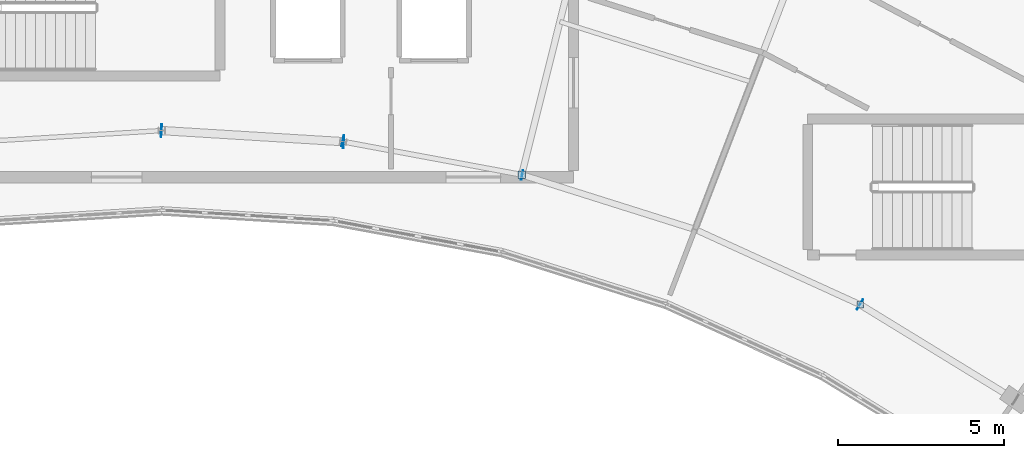
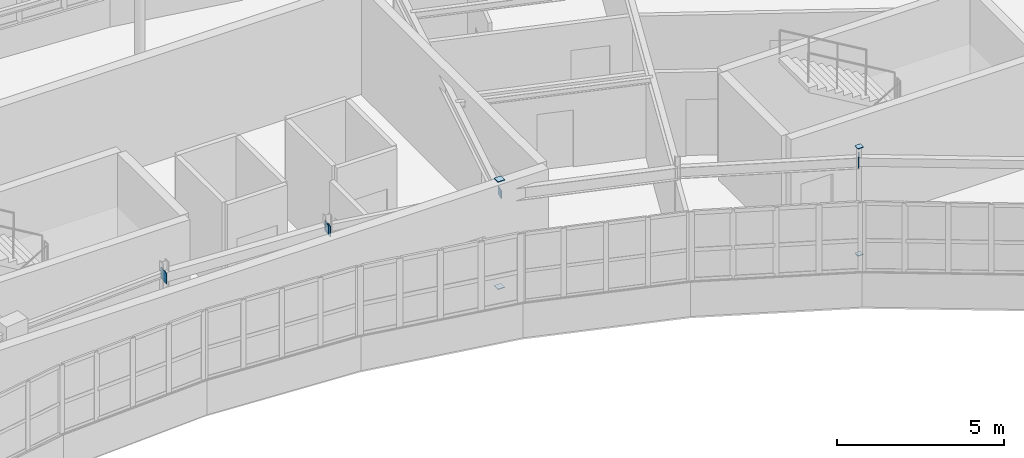
# One storey, part 49 of 65: 9 plates.
"""IFC4 building model written with IfcOpenShell, lengths in metres."""

from ifc_helpers import new_model, si_unit, direction, frame, origin, origin_2d, place, context, subcontext, project, spatial, rectangle, extrude, material, layer, layer_set, type_object, element, save


model = new_model("IFC4")

# Units and contexts
model_context = context("Model", 3, precision=1e-05, world=origin(), true_north=direction((0.0, 1.0)))
body_context = subcontext(model_context, "Body", "Model", "MODEL_VIEW")
ifc_project = project(units=[si_unit("LENGTHUNIT", "METRE"), si_unit("AREAUNIT", "SQUARE_METRE"), si_unit("VOLUMEUNIT", "CUBIC_METRE"), si_unit("PLANEANGLEUNIT", "RADIAN"), si_unit("MASSUNIT", "GRAM", prefix="KILO")], contexts=[model_context])

# Site, building, storey
site_placement = place(None, origin())
site = spatial("IfcSite", under=ifc_project, at=site_placement, CompositionType="ELEMENT")
building_placement = place(site_placement, origin())
building = spatial("IfcBuilding", under=site, at=building_placement, Name="Tarnwether General Hospital", CompositionType="ELEMENT")
storey_placement = place(building_placement, frame((0.0, 0.0, 22.199951171875)))
storey = spatial("IfcBuildingStorey", under=building, at=storey_placement, Name="L05", CompositionType="ELEMENT", Elevation=22.199951171875)

# Plates
ifc_material = material(Name="Steel Grade 350 (350 MPa)", Category="steel")
ifc_layer = layer(ifc_material, 0.02490234375)
ifc_layer_set = layer_set([ifc_layer], Name="Steel Grade 350 (350 MPa)")
plate_type = type_object("IfcPlateType", Name="PT-GUS2", PredefinedType="USERDEFINED", material=ifc_layer_set)
for number, where, z_axis, x_axis, name in (
    (1, (102.837890625, 106.468994140625, -0.02490234375), (0.0, 0.0, 1.0), (1.0, 0.0, 0.0), "Hollow Section Welded End Cap Plate 0561"),
    (2, (102.837890625, 106.468994140625, 3.900146484375), (0.0, 0.0, 1.0), (1.0, 0.0, 0.0), "Hollow Section Welded End Cap Plate 0562"),
):
    element("IfcPlate", number, at=place(storey_placement, frame(where, z_axis=z_axis, x_axis=x_axis)), inside=storey, type_object=plate_type, Name=name, ObjectType="GUSSET", PredefinedType="USERDEFINED", context=body_context, shape_type="SweptSolid", body=[
        extrude(rectangle(XDim=0.23388671875, YDim=0.23388671875, at=origin_2d()), origin(), (0.0, 0.0, 1.0), 0.02490234375),
    ])
for number, where, z_axis, x_axis, name in (
    (3, (113.031982421875, 102.555908203125, -0.02490234375), (0.0, 0.0, 1.0), (1.0, 0.0, 0.0), "Hollow Section Welded End Cap Plate 0593"),
    (4, (113.031982421875, 102.555908203125, 3.900146484375), (0.0, 0.0, 1.0), (1.0, 0.0, 0.0), "Hollow Section Welded End Cap Plate 0594"),
):
    element("IfcPlate", number, at=place(storey_placement, frame(where, z_axis=z_axis, x_axis=x_axis)), inside=storey, type_object=plate_type, Name=name, ObjectType="GUSSET", PredefinedType="USERDEFINED", context=body_context, shape_type="SweptSolid", body=[
        extrude(rectangle(XDim=0.18994140625, YDim=0.18994140625, at=origin_2d()), origin(), (0.0, 0.0, 1.0), 0.02490234375),
    ])
for number, where, z_axis, x_axis, name in (
    (5, (91.987548828125, 107.80078125, 3.18994140625), (0.0, 0.0, 1.0), (0.998133732772, -0.061065960264, 0.0), "Hollow Section Welded End Cap Plate 1049"),
    (6, (97.472412109375, 107.465087890625, 3.18994140625), (0.0, 0.0, 1.0), (0.998133732772, -0.061065960264, 0.0), "Hollow Section Welded End Cap Plate 1050"),
):
    element("IfcPlate", number, at=place(storey_placement, frame(where, z_axis=z_axis, x_axis=x_axis)), inside=storey, type_object=plate_type, Name=name, ObjectType="GUSSET", PredefinedType="USERDEFINED", context=body_context, shape_type="SweptSolid", body=[
        extrude(rectangle(XDim=0.02490234375, YDim=0.389892578125, at=origin_2d()), origin(), (0.0, 0.0, 1.0), 0.389892578125),
    ])
for number, where, z_axis, x_axis, name in (
    (7, (97.44775390625, 107.46826171875, 3.2900390625), (0.0, 0.0, 1.0), (0.983245364386, -0.182287008349, 0.0), "Hollow Section Welded End Cap Plate 1053"),
    (8, (102.850341796875, 106.466796875, 3.2900390625), (0.0, 0.0, 1.0), (0.983245364386, -0.182287008349, 0.0), "Hollow Section Welded End Cap Plate 1054"),
):
    element("IfcPlate", number, at=place(storey_placement, frame(where, z_axis=z_axis, x_axis=x_axis)), inside=storey, type_object=plate_type, Name=name, ObjectType="GUSSET", PredefinedType="USERDEFINED", context=body_context, shape_type="SweptSolid", body=[
        extrude(rectangle(XDim=0.02490234375, YDim=0.2900390625, at=origin_2d()), origin(), (0.0, 0.0, 1.0), 0.2900390625),
    ])
plate_placement = place(storey_placement, frame((113.021240234375, 102.5625, 3.240234375), z_axis=(0.0, 0.0, 1.0), x_axis=(0.852649283545, -0.522483683258, 0.0)))
element("IfcPlate", 9, at=plate_placement, inside=storey, type_object=plate_type, Name="Hollow Section Welded End Cap Plate 1057", ObjectType="GUSSET", PredefinedType="USERDEFINED", context=body_context, shape_type="SweptSolid", body=[
    extrude(rectangle(XDim=0.02490234375, YDim=0.340087890625, at=origin_2d()), origin(), (0.0, 0.0, 1.0), 0.340087890625),
])

save(model, "model.ifc")
